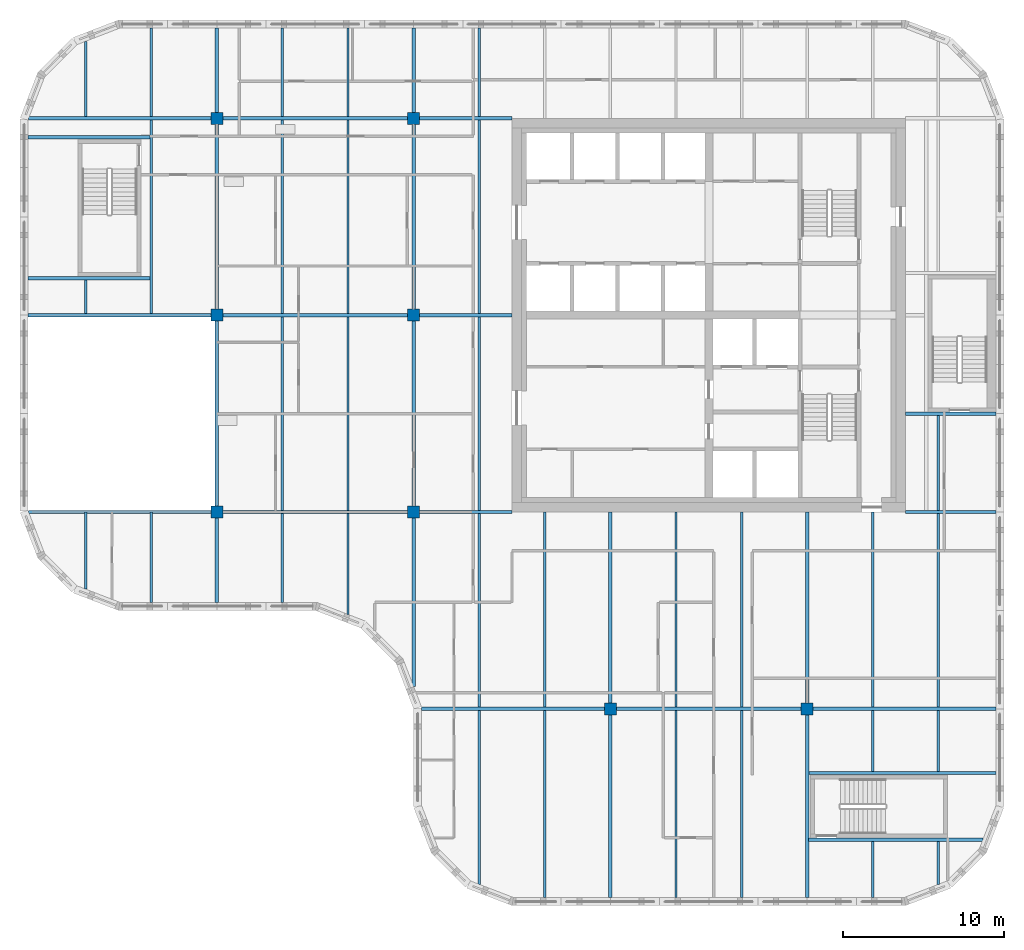
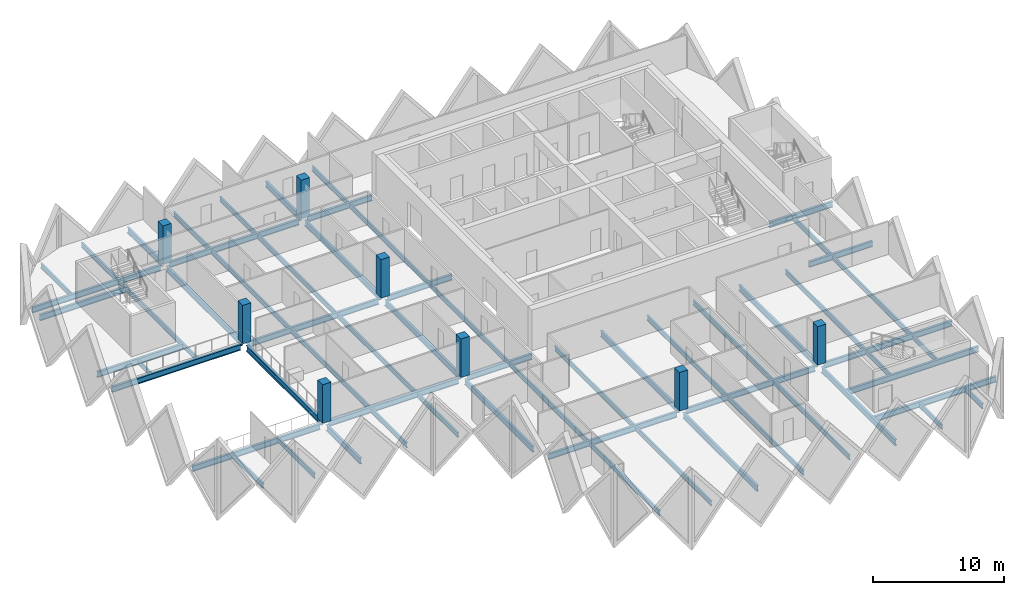
# One storey, part 1 of 12: 62 beams, 8 columns.
"""IFC4 building model written with IfcOpenShell, lengths in metres."""

from ifc_helpers import new_model, si_unit, direction, frame, origin, origin_2d, place, context, subcontext, project, spatial, rectangle, i_section, extrude, material, material_profile, profile_set, type_object, element, save


model = new_model("IFC4")

# Units and contexts
model_context = context("Model", 3, precision=1e-05, world=origin(), true_north=direction((0.0, 1.0)))
body_context = subcontext(model_context, "Body", "Model", "MODEL_VIEW")
ifc_project = project(units=[si_unit("LENGTHUNIT", "METRE"), si_unit("AREAUNIT", "SQUARE_METRE"), si_unit("VOLUMEUNIT", "CUBIC_METRE"), si_unit("PLANEANGLEUNIT", "RADIAN"), si_unit("MASSUNIT", "GRAM", prefix="KILO")], contexts=[model_context])

# Site, building, storey
site_placement = place(None, origin())
site = spatial("IfcSite", under=ifc_project, at=site_placement, CompositionType="ELEMENT")
building_placement = place(site_placement, origin())
building = spatial("IfcBuilding", under=site, at=building_placement, Name="Tessera Gate Towers", CompositionType="ELEMENT")
storey_placement = place(building_placement, frame((0.0, 0.0, 163.0)))
storey = spatial("IfcBuildingStorey", under=building, at=storey_placement, Name="L40", CompositionType="ELEMENT", Elevation=163.0)

# Columns
ifc_material_1 = material(Name="Concrete C70/85", Category="concrete")
ifc_material_profile_1 = material_profile(ifc_material_1, rectangle(XDim=0.75, YDim=0.75, at=origin_2d()), Name="RC 750x750")
ifc_profile_set_1 = profile_set([ifc_material_profile_1], Name="Concrete C70/85")
column_type = type_object("IfcColumnType", Name="COLUMN RC 750x750", PredefinedType="COLUMN", material=ifc_profile_set_1)
for number, where, z_axis, x_axis, name in (
    (1, (12.199951171875, 24.39990234375, 0.0), (0.0, 0.0, 1.0), (1.0, 0.0, 0.0), "T1-COL-2C-L40"),
    (2, (12.199951171875, 36.60009765625, 0.0), (0.0, 0.0, 1.0), (1.0, 0.0, 0.0), "T1-COL-2D-L40"),
    (3, (12.199951171875, 48.800048828125, 0.0), (0.0, 0.0, 1.0), (1.0, 0.0, 0.0), "T1-COL-2E-L40"),
    (4, (24.39990234375, 24.39990234375, 0.0), (0.0, 0.0, 1.0), (1.0, 0.0, 0.0), "T1-COL-3C-L40"),
    (5, (24.39990234375, 36.60009765625, 0.0), (0.0, 0.0, 1.0), (1.0, 0.0, 0.0), "T1-COL-3D-L40"),
    (6, (24.39990234375, 48.800048828125, 0.0), (0.0, 0.0, 1.0), (1.0, 0.0, 0.0), "T1-COL-3E-L40"),
    (7, (36.60009765625, 12.199951171875, 0.0), (0.0, 0.0, 1.0), (1.0, 0.0, 0.0), "T1-COL-4B-L40"),
    (8, (48.800048828125, 12.199951171875, 0.0), (0.0, 0.0, 1.0), (1.0, 0.0, 0.0), "T1-COL-5B-L40"),
):
    element("IfcColumn", number, at=place(storey_placement, frame(where, z_axis=z_axis, x_axis=x_axis)), inside=storey, type_object=column_type, Name=name, PredefinedType="COLUMN", context=body_context, shape_type="SweptSolid", body=[
        extrude(rectangle(XDim=0.75, YDim=0.75, at=origin_2d()), origin(), (0.0, 0.0, 1.0), 3.60009765625),
    ])

# Beams
ifc_material_2 = material(Name="Steel 350W", Category="steel")
ifc_material_profile_2 = material_profile(ifc_material_2, i_section(OverallWidth=0.208984375, OverallDepth=0.532958984375, WebThickness=0.01025390625, FlangeThickness=0.015625, at=origin_2d()), Name="W530x92")
ifc_profile_set_2 = profile_set([ifc_material_profile_2], Name="Steel 350W")
beam_type_1 = type_object("IfcBeamType", Name="FLOOR GIRDER W530x92", PredefinedType="BEAM", material=ifc_profile_set_2)
beam_1_placement = place(storey_placement, frame((24.89892578125, 12.199951171875, -0.466552734375), z_axis=(1.0, 0.0, 0.0), x_axis=(0.0, 1.0, 0.0)))
element("IfcBeam", 9, at=beam_1_placement, inside=storey, type_object=beam_type_1, Name="T1-GD-L40-4516", PredefinedType="BEAM", context=body_context, shape_type="SweptSolid", body=[
    extrude(i_section(OverallWidth=0.208984375, OverallDepth=0.532958984375, WebThickness=0.01025390625, FlangeThickness=0.015625, at=origin_2d()), origin(), (0.0, 0.0, 1.0), 11.326171875),
])
beam_2_placement = place(storey_placement, frame((36.97509765625, 12.199951171875, -0.466552734375), z_axis=(1.0, 0.0, 0.0), x_axis=(0.0, 1.0, 0.0)))
element("IfcBeam", 10, at=beam_2_placement, inside=storey, type_object=beam_type_1, Name="T1-GD-L40-4517", PredefinedType="BEAM", context=body_context, shape_type="SweptSolid", body=[
    extrude(i_section(OverallWidth=0.208984375, OverallDepth=0.532958984375, WebThickness=0.01025390625, FlangeThickness=0.015625, at=origin_2d()), origin(), (0.0, 0.0, 1.0), 11.449951171875),
])
beam_3_placement = place(storey_placement, frame((49.175048828125, 12.199951171875, -0.466552734375), z_axis=(1.0, 0.0, 0.0), x_axis=(0.0, 1.0, 0.0)))
element("IfcBeam", 11, at=beam_3_placement, inside=storey, type_object=beam_type_1, Name="T1-GD-L40-4518", PredefinedType="BEAM", context=body_context, shape_type="SweptSolid", body=[
    extrude(i_section(OverallWidth=0.208984375, OverallDepth=0.532958984375, WebThickness=0.01025390625, FlangeThickness=0.015625, at=origin_2d()), origin(), (0.0, 0.0, 1.0), 11.325927734375),
])
beam_4_placement = place(storey_placement, frame((0.534912109375, 24.39990234375, -0.466552734375), z_axis=(1.0, 0.0, 0.0), x_axis=(0.0, 1.0, 0.0)))
element("IfcBeam", 12, at=beam_4_placement, inside=storey, type_object=beam_type_1, Name="T1-GD-L40-4519", PredefinedType="BEAM", context=body_context, shape_type="SweptSolid", body=[
    extrude(i_section(OverallWidth=0.208984375, OverallDepth=0.532958984375, WebThickness=0.01025390625, FlangeThickness=0.015625, at=origin_2d()), origin(), (0.0, 0.0, 1.0), 11.2900390625),
])
beam_5_placement = place(storey_placement, frame((12.574951171875, 24.39990234375, -0.466552734375), z_axis=(1.0, 0.0, 0.0), x_axis=(0.0, 1.0, 0.0)))
element("IfcBeam", 13, at=beam_5_placement, inside=storey, type_object=beam_type_1, Name="T1-GD-L40-4520", PredefinedType="BEAM", context=body_context, shape_type="SweptSolid", body=[
    extrude(i_section(OverallWidth=0.208984375, OverallDepth=0.532958984375, WebThickness=0.01025390625, FlangeThickness=0.015625, at=origin_2d()), origin(), (0.0, 0.0, 1.0), 11.449951171875),
])
beam_6_placement = place(storey_placement, frame((24.77490234375, 24.39990234375, -0.466552734375), z_axis=(1.0, 0.0, 0.0), x_axis=(0.0, 1.0, 0.0)))
element("IfcBeam", 14, at=beam_6_placement, inside=storey, type_object=beam_type_1, Name="T1-GD-L40-4521", PredefinedType="BEAM", context=body_context, shape_type="SweptSolid", body=[
    extrude(i_section(OverallWidth=0.208984375, OverallDepth=0.532958984375, WebThickness=0.01025390625, FlangeThickness=0.015625, at=origin_2d()), origin(), (0.0, 0.0, 1.0), 5.72412109375),
])
beam_7_placement = place(storey_placement, frame((54.90087890625, 24.39990234375, -0.466552734375), z_axis=(1.0, 0.0, 0.0), x_axis=(0.0, 1.0, 0.0)))
element("IfcBeam", 15, at=beam_7_placement, inside=storey, type_object=beam_type_1, Name="T1-GD-L40-4522", PredefinedType="BEAM", context=body_context, shape_type="SweptSolid", body=[
    extrude(i_section(OverallWidth=0.208984375, OverallDepth=0.532958984375, WebThickness=0.01025390625, FlangeThickness=0.015625, at=origin_2d()), origin(), (0.0, 0.0, 1.0), 5.60009765625),
])
beam_8_placement = place(storey_placement, frame((0.4990234375, 36.60009765625, -0.466552734375), z_axis=(1.0, 0.0, 0.0), x_axis=(0.0, 1.0, 0.0)))
element("IfcBeam", 16, at=beam_8_placement, inside=storey, type_object=beam_type_1, Name="T1-GD-L40-4523", PredefinedType="BEAM", context=body_context, shape_type="SweptSolid", body=[
    extrude(i_section(OverallWidth=0.208984375, OverallDepth=0.532958984375, WebThickness=0.01025390625, FlangeThickness=0.015625, at=origin_2d()), origin(), (0.0, 0.0, 1.0), 11.325927734375),
])
beam_9_placement = place(storey_placement, frame((12.574951171875, 36.60009765625, -0.466552734375), z_axis=(1.0, 0.0, 0.0), x_axis=(0.0, 1.0, 0.0)))
element("IfcBeam", 17, at=beam_9_placement, inside=storey, type_object=beam_type_1, Name="T1-GD-L40-4524", PredefinedType="BEAM", context=body_context, shape_type="SweptSolid", body=[
    extrude(i_section(OverallWidth=0.208984375, OverallDepth=0.532958984375, WebThickness=0.01025390625, FlangeThickness=0.015625, at=origin_2d()), origin(), (0.0, 0.0, 1.0), 11.449951171875),
])
beam_10_placement = place(storey_placement, frame((24.77490234375, 36.60009765625, -0.466552734375), z_axis=(1.0, 0.0, 0.0), x_axis=(0.0, 1.0, 0.0)))
element("IfcBeam", 18, at=beam_10_placement, inside=storey, type_object=beam_type_1, Name="T1-GD-L40-4525", PredefinedType="BEAM", context=body_context, shape_type="SweptSolid", body=[
    extrude(i_section(OverallWidth=0.208984375, OverallDepth=0.532958984375, WebThickness=0.01025390625, FlangeThickness=0.015625, at=origin_2d()), origin(), (0.0, 0.0, 1.0), 5.72607421875),
])
beam_11_placement = place(storey_placement, frame((0.534912109375, 48.800048828125, -0.466552734375), z_axis=(1.0, 0.0, 0.0), x_axis=(0.0, 1.0, 0.0)))
element("IfcBeam", 19, at=beam_11_placement, inside=storey, type_object=beam_type_1, Name="T1-GD-L40-4527", PredefinedType="BEAM", context=body_context, shape_type="SweptSolid", body=[
    extrude(i_section(OverallWidth=0.208984375, OverallDepth=0.532958984375, WebThickness=0.01025390625, FlangeThickness=0.015625, at=origin_2d()), origin(), (0.0, 0.0, 1.0), 11.2900390625),
])
beam_12_placement = place(storey_placement, frame((12.574951171875, 48.800048828125, -0.466552734375), z_axis=(1.0, 0.0, 0.0), x_axis=(0.0, 1.0, 0.0)))
element("IfcBeam", 20, at=beam_12_placement, inside=storey, type_object=beam_type_1, Name="T1-GD-L40-4528", PredefinedType="BEAM", context=body_context, shape_type="SweptSolid", body=[
    extrude(i_section(OverallWidth=0.208984375, OverallDepth=0.532958984375, WebThickness=0.01025390625, FlangeThickness=0.015625, at=origin_2d()), origin(), (0.0, 0.0, 1.0), 11.449951171875),
])
beam_13_placement = place(storey_placement, frame((24.77490234375, 48.800048828125, -0.466552734375), z_axis=(1.0, 0.0, 0.0), x_axis=(0.0, 1.0, 0.0)))
element("IfcBeam", 21, at=beam_13_placement, inside=storey, type_object=beam_type_1, Name="T1-GD-L40-4529", PredefinedType="BEAM", context=body_context, shape_type="SweptSolid", body=[
    extrude(i_section(OverallWidth=0.208984375, OverallDepth=0.532958984375, WebThickness=0.01025390625, FlangeThickness=0.015625, at=origin_2d()), origin(), (0.0, 0.0, 1.0), 5.72412109375),
])
beam_14_placement = place(storey_placement, frame((12.199951171875, 18.799072265625, -0.466552734375), z_axis=(0.0, 1.0, 0.0), x_axis=(-1.0, 0.0, 0.0)))
element("IfcBeam", 22, at=beam_14_placement, inside=storey, type_object=beam_type_1, Name="T1-GD-L40-4531", PredefinedType="BEAM", context=body_context, shape_type="SweptSolid", body=[
    extrude(i_section(OverallWidth=0.208984375, OverallDepth=0.532958984375, WebThickness=0.01025390625, FlangeThickness=0.015625, at=origin_2d()), origin(), (0.0, 0.0, 1.0), 5.225830078125),
])
beam_15_placement = place(storey_placement, frame((12.199951171875, 24.77490234375, -0.466552734375), z_axis=(0.0, 1.0, 0.0), x_axis=(-1.0, 0.0, 0.0)))
element("IfcBeam", 23, at=beam_15_placement, inside=storey, type_object=beam_type_1, Name="T1-GD-L40-4532", PredefinedType="BEAM", context=body_context, shape_type="SweptSolid", body=[
    extrude(i_section(OverallWidth=0.208984375, OverallDepth=0.532958984375, WebThickness=0.01025390625, FlangeThickness=0.015625, at=origin_2d()), origin(), (0.0, 0.0, 1.0), 11.4501953125),
])
beam_16_placement = place(storey_placement, frame((12.199951171875, 36.97509765625, -0.466552734375), z_axis=(0.0, 1.0, 0.0), x_axis=(-1.0, 0.0, 0.0)))
element("IfcBeam", 24, at=beam_16_placement, inside=storey, type_object=beam_type_1, Name="T1-GD-L40-4533", PredefinedType="BEAM", context=body_context, shape_type="SweptSolid", body=[
    extrude(i_section(OverallWidth=0.208984375, OverallDepth=0.532958984375, WebThickness=0.01025390625, FlangeThickness=0.015625, at=origin_2d()), origin(), (0.0, 0.0, 1.0), 11.449951171875),
])
beam_17_placement = place(storey_placement, frame((12.199951171875, 49.175048828125, -0.466552734375), z_axis=(0.0, 1.0, 0.0), x_axis=(-1.0, 0.0, 0.0)))
element("IfcBeam", 25, at=beam_17_placement, inside=storey, type_object=beam_type_1, Name="T1-GD-L40-4534", PredefinedType="BEAM", context=body_context, shape_type="SweptSolid", body=[
    extrude(i_section(OverallWidth=0.208984375, OverallDepth=0.532958984375, WebThickness=0.01025390625, FlangeThickness=0.015625, at=origin_2d()), origin(), (0.0, 0.0, 1.0), 5.225830078125),
])
beam_18_placement = place(storey_placement, frame((24.39990234375, 13.58642578125, -0.466552734375), z_axis=(0.0, 1.0, 0.0), x_axis=(-1.0, 0.0, 0.0)))
element("IfcBeam", 26, at=beam_18_placement, inside=storey, type_object=beam_type_1, Name="T1-GD-L40-4535", PredefinedType="BEAM", context=body_context, shape_type="SweptSolid", body=[
    extrude(i_section(OverallWidth=0.208984375, OverallDepth=0.532958984375, WebThickness=0.01025390625, FlangeThickness=0.015625, at=origin_2d()), origin(), (0.0, 0.0, 1.0), 10.4384765625),
])
beam_19_placement = place(storey_placement, frame((24.39990234375, 24.77490234375, -0.466552734375), z_axis=(0.0, 1.0, 0.0), x_axis=(-1.0, 0.0, 0.0)))
element("IfcBeam", 27, at=beam_19_placement, inside=storey, type_object=beam_type_1, Name="T1-GD-L40-4536", PredefinedType="BEAM", context=body_context, shape_type="SweptSolid", body=[
    extrude(i_section(OverallWidth=0.208984375, OverallDepth=0.532958984375, WebThickness=0.01025390625, FlangeThickness=0.015625, at=origin_2d()), origin(), (0.0, 0.0, 1.0), 11.4501953125),
])
beam_20_placement = place(storey_placement, frame((24.39990234375, 36.97509765625, -0.466552734375), z_axis=(0.0, 1.0, 0.0), x_axis=(-1.0, 0.0, 0.0)))
element("IfcBeam", 28, at=beam_20_placement, inside=storey, type_object=beam_type_1, Name="T1-GD-L40-4537", PredefinedType="BEAM", context=body_context, shape_type="SweptSolid", body=[
    extrude(i_section(OverallWidth=0.208984375, OverallDepth=0.532958984375, WebThickness=0.01025390625, FlangeThickness=0.015625, at=origin_2d()), origin(), (0.0, 0.0, 1.0), 11.449951171875),
])
beam_21_placement = place(storey_placement, frame((24.39990234375, 49.175048828125, -0.466552734375), z_axis=(0.0, 1.0, 0.0), x_axis=(-1.0, 0.0, 0.0)))
element("IfcBeam", 29, at=beam_21_placement, inside=storey, type_object=beam_type_1, Name="T1-GD-L40-4538", PredefinedType="BEAM", context=body_context, shape_type="SweptSolid", body=[
    extrude(i_section(OverallWidth=0.208984375, OverallDepth=0.532958984375, WebThickness=0.01025390625, FlangeThickness=0.015625, at=origin_2d()), origin(), (0.0, 0.0, 1.0), 5.225830078125),
])
beam_22_placement = place(storey_placement, frame((36.60009765625, 0.4990234375, -0.466552734375), z_axis=(0.0, 1.0, 0.0), x_axis=(-1.0, 0.0, 0.0)))
element("IfcBeam", 30, at=beam_22_placement, inside=storey, type_object=beam_type_1, Name="T1-GD-L40-4539", PredefinedType="BEAM", context=body_context, shape_type="SweptSolid", body=[
    extrude(i_section(OverallWidth=0.208984375, OverallDepth=0.532958984375, WebThickness=0.01025390625, FlangeThickness=0.015625, at=origin_2d()), origin(), (0.0, 0.0, 1.0), 11.325927734375),
])
beam_23_placement = place(storey_placement, frame((36.60009765625, 12.574951171875, -0.466552734375), z_axis=(0.0, 1.0, 0.0), x_axis=(-1.0, 0.0, 0.0)))
element("IfcBeam", 31, at=beam_23_placement, inside=storey, type_object=beam_type_1, Name="T1-GD-L40-4540", PredefinedType="BEAM", context=body_context, shape_type="SweptSolid", body=[
    extrude(i_section(OverallWidth=0.208984375, OverallDepth=0.532958984375, WebThickness=0.01025390625, FlangeThickness=0.015625, at=origin_2d()), origin(), (0.0, 0.0, 1.0), 11.824951171875),
])
beam_24_placement = place(storey_placement, frame((48.800048828125, 0.4990234375, -0.466552734375), z_axis=(0.0, 1.0, 0.0), x_axis=(-1.0, 0.0, 0.0)))
element("IfcBeam", 32, at=beam_24_placement, inside=storey, type_object=beam_type_1, Name="T1-GD-L40-4541", PredefinedType="BEAM", context=body_context, shape_type="SweptSolid", body=[
    extrude(i_section(OverallWidth=0.208984375, OverallDepth=0.532958984375, WebThickness=0.01025390625, FlangeThickness=0.015625, at=origin_2d()), origin(), (0.0, 0.0, 1.0), 11.325927734375),
])
beam_25_placement = place(storey_placement, frame((48.800048828125, 12.574951171875, -0.466552734375), z_axis=(0.0, 1.0, 0.0), x_axis=(-1.0, 0.0, 0.0)))
element("IfcBeam", 33, at=beam_25_placement, inside=storey, type_object=beam_type_1, Name="T1-GD-L40-4542", PredefinedType="BEAM", context=body_context, shape_type="SweptSolid", body=[
    extrude(i_section(OverallWidth=0.208984375, OverallDepth=0.532958984375, WebThickness=0.01025390625, FlangeThickness=0.015625, at=origin_2d()), origin(), (0.0, 0.0, 1.0), 11.824951171875),
])
for number, where, z_axis, x_axis, name in (
    (34, (0.4990234375, 38.8798828125, -0.466552734375), (1.0, 0.0, 0.0), (0.0, 1.0, 0.0), "T1-GD-L40-4543"),
    (35, (0.4990234375, 47.6201171875, -0.466552734375), (1.0, 0.0, 0.0), (0.0, 1.0, 0.0), "T1-GD-L40-4544"),
):
    element("IfcBeam", number, at=place(storey_placement, frame(where, z_axis=z_axis, x_axis=x_axis)), inside=storey, type_object=beam_type_1, Name=name, PredefinedType="BEAM", context=body_context, shape_type="SweptSolid", body=[
        extrude(i_section(OverallWidth=0.208984375, OverallDepth=0.532958984375, WebThickness=0.01025390625, FlangeThickness=0.015625, at=origin_2d()), origin(), (0.0, 0.0, 1.0), 7.557861328125),
    ])
beam_26_placement = place(storey_placement, frame((48.87646484375, 4.080078125, -0.466552734375), z_axis=(1.0, 0.0, 0.0), x_axis=(0.0, 1.0, 0.0)))
element("IfcBeam", 36, at=beam_26_placement, inside=storey, type_object=beam_type_1, Name="T1-GD-L40-4545", PredefinedType="BEAM", context=body_context, shape_type="SweptSolid", body=[
    extrude(i_section(OverallWidth=0.208984375, OverallDepth=0.532958984375, WebThickness=0.01025390625, FlangeThickness=0.015625, at=origin_2d()), origin(), (0.0, 0.0, 1.0), 10.809326171875),
])
beam_27_placement = place(storey_placement, frame((48.87646484375, 8.219970703125, -0.466552734375), z_axis=(1.0, 0.0, 0.0), x_axis=(0.0, 1.0, 0.0)))
element("IfcBeam", 37, at=beam_27_placement, inside=storey, type_object=beam_type_1, Name="T1-GD-L40-4546", PredefinedType="BEAM", context=body_context, shape_type="SweptSolid", body=[
    extrude(i_section(OverallWidth=0.208984375, OverallDepth=0.532958984375, WebThickness=0.01025390625, FlangeThickness=0.015625, at=origin_2d()), origin(), (0.0, 0.0, 1.0), 11.62451171875),
])
beam_28_placement = place(storey_placement, frame((54.89892578125, 30.47998046875, -0.466552734375), z_axis=(1.0, 0.0, 0.0), x_axis=(0.0, 1.0, 0.0)))
element("IfcBeam", 38, at=beam_28_placement, inside=storey, type_object=beam_type_1, Name="T1-GD-L40-4547", PredefinedType="BEAM", context=body_context, shape_type="SweptSolid", body=[
    extrude(i_section(OverallWidth=0.208984375, OverallDepth=0.532958984375, WebThickness=0.01025390625, FlangeThickness=0.015625, at=origin_2d()), origin(), (0.0, 0.0, 1.0), 5.60205078125),
])
ifc_material_3 = material(Name="Steel 350W", Category="steel")
ifc_material_profile_3 = material_profile(ifc_material_3, i_section(OverallWidth=0.153076171875, OverallDepth=0.455078125, WebThickness=0.008056640625, FlangeThickness=0.01318359375, at=origin_2d()), Name="W460x60")
ifc_profile_set_3 = profile_set([ifc_material_profile_3], Name="Steel 350W")
beam_type_2 = type_object("IfcBeamType", Name="FLOOR SECONDARY W460x60", PredefinedType="BEAM", material=ifc_profile_set_3)
beam_29_placement = place(storey_placement, frame((4.066650390625, 19.620361328125, -0.427490234375), z_axis=(0.0, 1.0, 0.0), x_axis=(-1.0, 0.0, 0.0)))
element("IfcBeam", 39, at=beam_29_placement, inside=storey, type_object=beam_type_2, Name="T1-BM-L40-4550", PredefinedType="BEAM", context=body_context, shape_type="SweptSolid", body=[
    extrude(i_section(OverallWidth=0.153076171875, OverallDepth=0.455078125, WebThickness=0.008056640625, FlangeThickness=0.01318359375, at=origin_2d()), origin(), (0.0, 0.0, 1.0), 4.779541015625),
])
beam_30_placement = place(storey_placement, frame((4.066650390625, 36.70458984375, -0.427490234375), z_axis=(0.0, 1.0, 0.0), x_axis=(-1.0, 0.0, 0.0)))
element("IfcBeam", 40, at=beam_30_placement, inside=storey, type_object=beam_type_2, Name="T1-BM-L40-4551", PredefinedType="BEAM", context=body_context, shape_type="SweptSolid", body=[
    extrude(i_section(OverallWidth=0.153076171875, OverallDepth=0.455078125, WebThickness=0.008056640625, FlangeThickness=0.01318359375, at=origin_2d()), origin(), (0.0, 0.0, 1.0), 2.07080078125),
])
beam_31_placement = place(storey_placement, frame((4.066650390625, 48.904541015625, -0.427490234375), z_axis=(0.0, 1.0, 0.0), x_axis=(-1.0, 0.0, 0.0)))
element("IfcBeam", 41, at=beam_31_placement, inside=storey, type_object=beam_type_2, Name="T1-BM-L40-4552", PredefinedType="BEAM", context=body_context, shape_type="SweptSolid", body=[
    extrude(i_section(OverallWidth=0.153076171875, OverallDepth=0.455078125, WebThickness=0.008056640625, FlangeThickness=0.01318359375, at=origin_2d()), origin(), (0.0, 0.0, 1.0), 4.675048828125),
])
beam_32_placement = place(storey_placement, frame((8.13330078125, 18.800048828125, -0.427490234375), z_axis=(0.0, 1.0, 0.0), x_axis=(-1.0, 0.0, 0.0)))
element("IfcBeam", 42, at=beam_32_placement, inside=storey, type_object=beam_type_2, Name="T1-BM-L40-4553", PredefinedType="BEAM", context=body_context, shape_type="SweptSolid", body=[
    extrude(i_section(OverallWidth=0.153076171875, OverallDepth=0.455078125, WebThickness=0.008056640625, FlangeThickness=0.01318359375, at=origin_2d()), origin(), (0.0, 0.0, 1.0), 5.599853515625),
])
beam_33_placement = place(storey_placement, frame((8.13330078125, 36.70458984375, -0.427490234375), z_axis=(0.0, 1.0, 0.0), x_axis=(-1.0, 0.0, 0.0)))
element("IfcBeam", 43, at=beam_33_placement, inside=storey, type_object=beam_type_2, Name="T1-BM-L40-4554", PredefinedType="BEAM", context=body_context, shape_type="SweptSolid", body=[
    extrude(i_section(OverallWidth=0.153076171875, OverallDepth=0.455078125, WebThickness=0.008056640625, FlangeThickness=0.01318359375, at=origin_2d()), origin(), (0.0, 0.0, 1.0), 11.990966796875),
])
for number, where, z_axis, x_axis, name in (
    (44, (8.13330078125, 48.904541015625, -0.427490234375), (0.0, 1.0, 0.0), (-1.0, 0.0, 0.0), "T1-BM-L40-4555"),
    (45, (16.2666015625, 18.800048828125, -0.427490234375), (0.0, 1.0, 0.0), (-1.0, 0.0, 0.0), "T1-BM-L40-4556"),
):
    element("IfcBeam", number, at=place(storey_placement, frame(where, z_axis=z_axis, x_axis=x_axis)), inside=storey, type_object=beam_type_2, Name=name, PredefinedType="BEAM", context=body_context, shape_type="SweptSolid", body=[
        extrude(i_section(OverallWidth=0.153076171875, OverallDepth=0.455078125, WebThickness=0.008056640625, FlangeThickness=0.01318359375, at=origin_2d()), origin(), (0.0, 0.0, 1.0), 5.495361328125),
    ])
beam_34_placement = place(storey_placement, frame((16.2666015625, 24.50439453125, -0.427490234375), z_axis=(0.0, 1.0, 0.0), x_axis=(-1.0, 0.0, 0.0)))
element("IfcBeam", 46, at=beam_34_placement, inside=storey, type_object=beam_type_2, Name="T1-BM-L40-4557", PredefinedType="BEAM", context=body_context, shape_type="SweptSolid", body=[
    extrude(i_section(OverallWidth=0.153076171875, OverallDepth=0.455078125, WebThickness=0.008056640625, FlangeThickness=0.01318359375, at=origin_2d()), origin(), (0.0, 0.0, 1.0), 11.9912109375),
])
beam_35_placement = place(storey_placement, frame((16.2666015625, 36.70458984375, -0.427490234375), z_axis=(0.0, 1.0, 0.0), x_axis=(-1.0, 0.0, 0.0)))
element("IfcBeam", 47, at=beam_35_placement, inside=storey, type_object=beam_type_2, Name="T1-BM-L40-4558", PredefinedType="BEAM", context=body_context, shape_type="SweptSolid", body=[
    extrude(i_section(OverallWidth=0.153076171875, OverallDepth=0.455078125, WebThickness=0.008056640625, FlangeThickness=0.01318359375, at=origin_2d()), origin(), (0.0, 0.0, 1.0), 11.990966796875),
])
beam_36_placement = place(storey_placement, frame((16.2666015625, 48.904541015625, -0.427490234375), z_axis=(0.0, 1.0, 0.0), x_axis=(-1.0, 0.0, 0.0)))
element("IfcBeam", 48, at=beam_36_placement, inside=storey, type_object=beam_type_2, Name="T1-BM-L40-4559", PredefinedType="BEAM", context=body_context, shape_type="SweptSolid", body=[
    extrude(i_section(OverallWidth=0.153076171875, OverallDepth=0.455078125, WebThickness=0.008056640625, FlangeThickness=0.01318359375, at=origin_2d()), origin(), (0.0, 0.0, 1.0), 5.495361328125),
])
beam_37_placement = place(storey_placement, frame((20.333251953125, 18.051513671875, -0.427490234375), z_axis=(0.0, 1.0, 0.0), x_axis=(-1.0, 0.0, 0.0)))
element("IfcBeam", 49, at=beam_37_placement, inside=storey, type_object=beam_type_2, Name="T1-BM-L40-4560", PredefinedType="BEAM", context=body_context, shape_type="SweptSolid", body=[
    extrude(i_section(OverallWidth=0.153076171875, OverallDepth=0.455078125, WebThickness=0.008056640625, FlangeThickness=0.01318359375, at=origin_2d()), origin(), (0.0, 0.0, 1.0), 6.243896484375),
])
beam_38_placement = place(storey_placement, frame((20.333251953125, 24.50439453125, -0.427490234375), z_axis=(0.0, 1.0, 0.0), x_axis=(-1.0, 0.0, 0.0)))
element("IfcBeam", 50, at=beam_38_placement, inside=storey, type_object=beam_type_2, Name="T1-BM-L40-4561", PredefinedType="BEAM", context=body_context, shape_type="SweptSolid", body=[
    extrude(i_section(OverallWidth=0.153076171875, OverallDepth=0.455078125, WebThickness=0.008056640625, FlangeThickness=0.01318359375, at=origin_2d()), origin(), (0.0, 0.0, 1.0), 11.9912109375),
])
beam_39_placement = place(storey_placement, frame((20.333251953125, 36.70458984375, -0.427490234375), z_axis=(0.0, 1.0, 0.0), x_axis=(-1.0, 0.0, 0.0)))
element("IfcBeam", 51, at=beam_39_placement, inside=storey, type_object=beam_type_2, Name="T1-BM-L40-4562", PredefinedType="BEAM", context=body_context, shape_type="SweptSolid", body=[
    extrude(i_section(OverallWidth=0.153076171875, OverallDepth=0.455078125, WebThickness=0.008056640625, FlangeThickness=0.01318359375, at=origin_2d()), origin(), (0.0, 0.0, 1.0), 11.990966796875),
])
beam_40_placement = place(storey_placement, frame((20.333251953125, 48.904541015625, -0.427490234375), z_axis=(0.0, 1.0, 0.0), x_axis=(-1.0, 0.0, 0.0)))
element("IfcBeam", 52, at=beam_40_placement, inside=storey, type_object=beam_type_2, Name="T1-BM-L40-4563", PredefinedType="BEAM", context=body_context, shape_type="SweptSolid", body=[
    extrude(i_section(OverallWidth=0.153076171875, OverallDepth=0.455078125, WebThickness=0.008056640625, FlangeThickness=0.01318359375, at=origin_2d()), origin(), (0.0, 0.0, 1.0), 5.495361328125),
])
beam_41_placement = place(storey_placement, frame((28.466796875, 1.3203125, -0.427490234375), z_axis=(0.0, 1.0, 0.0), x_axis=(-1.0, 0.0, 0.0)))
element("IfcBeam", 53, at=beam_41_placement, inside=storey, type_object=beam_type_2, Name="T1-BM-L40-4564", PredefinedType="BEAM", context=body_context, shape_type="SweptSolid", body=[
    extrude(i_section(OverallWidth=0.153076171875, OverallDepth=0.455078125, WebThickness=0.008056640625, FlangeThickness=0.01318359375, at=origin_2d()), origin(), (0.0, 0.0, 1.0), 10.775146484375),
])
beam_42_placement = place(storey_placement, frame((28.466796875, 12.304443359375, -0.427490234375), z_axis=(0.0, 1.0, 0.0), x_axis=(-1.0, 0.0, 0.0)))
element("IfcBeam", 54, at=beam_42_placement, inside=storey, type_object=beam_type_2, Name="T1-BM-L40-4565", PredefinedType="BEAM", context=body_context, shape_type="SweptSolid", body=[
    extrude(i_section(OverallWidth=0.153076171875, OverallDepth=0.455078125, WebThickness=0.008056640625, FlangeThickness=0.01318359375, at=origin_2d()), origin(), (0.0, 0.0, 1.0), 11.990966796875),
])
beam_43_placement = place(storey_placement, frame((28.466796875, 24.50439453125, -0.427490234375), z_axis=(0.0, 1.0, 0.0), x_axis=(-1.0, 0.0, 0.0)))
element("IfcBeam", 55, at=beam_43_placement, inside=storey, type_object=beam_type_2, Name="T1-BM-L40-4566", PredefinedType="BEAM", context=body_context, shape_type="SweptSolid", body=[
    extrude(i_section(OverallWidth=0.153076171875, OverallDepth=0.455078125, WebThickness=0.008056640625, FlangeThickness=0.01318359375, at=origin_2d()), origin(), (0.0, 0.0, 1.0), 11.9912109375),
])
beam_44_placement = place(storey_placement, frame((28.466796875, 36.70458984375, -0.427490234375), z_axis=(0.0, 1.0, 0.0), x_axis=(-1.0, 0.0, 0.0)))
element("IfcBeam", 56, at=beam_44_placement, inside=storey, type_object=beam_type_2, Name="T1-BM-L40-4567", PredefinedType="BEAM", context=body_context, shape_type="SweptSolid", body=[
    extrude(i_section(OverallWidth=0.153076171875, OverallDepth=0.455078125, WebThickness=0.008056640625, FlangeThickness=0.01318359375, at=origin_2d()), origin(), (0.0, 0.0, 1.0), 11.990966796875),
])
beam_45_placement = place(storey_placement, frame((28.466796875, 48.904541015625, -0.427490234375), z_axis=(0.0, 1.0, 0.0), x_axis=(-1.0, 0.0, 0.0)))
element("IfcBeam", 57, at=beam_45_placement, inside=storey, type_object=beam_type_2, Name="T1-BM-L40-4568", PredefinedType="BEAM", context=body_context, shape_type="SweptSolid", body=[
    extrude(i_section(OverallWidth=0.153076171875, OverallDepth=0.455078125, WebThickness=0.008056640625, FlangeThickness=0.01318359375, at=origin_2d()), origin(), (0.0, 0.0, 1.0), 5.495361328125),
])
beam_46_placement = place(storey_placement, frame((32.533203125, 0.5, -0.427490234375), z_axis=(0.0, 1.0, 0.0), x_axis=(-1.0, 0.0, 0.0)))
element("IfcBeam", 58, at=beam_46_placement, inside=storey, type_object=beam_type_2, Name="T1-BM-L40-4569", PredefinedType="BEAM", context=body_context, shape_type="SweptSolid", body=[
    extrude(i_section(OverallWidth=0.153076171875, OverallDepth=0.455078125, WebThickness=0.008056640625, FlangeThickness=0.01318359375, at=origin_2d()), origin(), (0.0, 0.0, 1.0), 11.595458984375),
])
beam_47_placement = place(storey_placement, frame((32.533203125, 12.304443359375, -0.427490234375), z_axis=(0.0, 1.0, 0.0), x_axis=(-1.0, 0.0, 0.0)))
element("IfcBeam", 59, at=beam_47_placement, inside=storey, type_object=beam_type_2, Name="T1-BM-L40-4570", PredefinedType="BEAM", context=body_context, shape_type="SweptSolid", body=[
    extrude(i_section(OverallWidth=0.153076171875, OverallDepth=0.455078125, WebThickness=0.008056640625, FlangeThickness=0.01318359375, at=origin_2d()), origin(), (0.0, 0.0, 1.0), 12.095458984375),
])
beam_48_placement = place(storey_placement, frame((40.666748046875, 0.5, -0.427490234375), z_axis=(0.0, 1.0, 0.0), x_axis=(-1.0, 0.0, 0.0)))
element("IfcBeam", 60, at=beam_48_placement, inside=storey, type_object=beam_type_2, Name="T1-BM-L40-4573", PredefinedType="BEAM", context=body_context, shape_type="SweptSolid", body=[
    extrude(i_section(OverallWidth=0.153076171875, OverallDepth=0.455078125, WebThickness=0.008056640625, FlangeThickness=0.01318359375, at=origin_2d()), origin(), (0.0, 0.0, 1.0), 11.595458984375),
])
beam_49_placement = place(storey_placement, frame((40.666748046875, 12.304443359375, -0.427490234375), z_axis=(0.0, 1.0, 0.0), x_axis=(-1.0, 0.0, 0.0)))
element("IfcBeam", 61, at=beam_49_placement, inside=storey, type_object=beam_type_2, Name="T1-BM-L40-4574", PredefinedType="BEAM", context=body_context, shape_type="SweptSolid", body=[
    extrude(i_section(OverallWidth=0.153076171875, OverallDepth=0.455078125, WebThickness=0.008056640625, FlangeThickness=0.01318359375, at=origin_2d()), origin(), (0.0, 0.0, 1.0), 12.095458984375),
])
beam_50_placement = place(storey_placement, frame((44.7333984375, 0.5, -0.427490234375), z_axis=(0.0, 1.0, 0.0), x_axis=(-1.0, 0.0, 0.0)))
element("IfcBeam", 62, at=beam_50_placement, inside=storey, type_object=beam_type_2, Name="T1-BM-L40-4576", PredefinedType="BEAM", context=body_context, shape_type="SweptSolid", body=[
    extrude(i_section(OverallWidth=0.153076171875, OverallDepth=0.455078125, WebThickness=0.008056640625, FlangeThickness=0.01318359375, at=origin_2d()), origin(), (0.0, 0.0, 1.0), 11.595458984375),
])
beam_51_placement = place(storey_placement, frame((44.7333984375, 12.304443359375, -0.427490234375), z_axis=(0.0, 1.0, 0.0), x_axis=(-1.0, 0.0, 0.0)))
element("IfcBeam", 63, at=beam_51_placement, inside=storey, type_object=beam_type_2, Name="T1-BM-L40-4577", PredefinedType="BEAM", context=body_context, shape_type="SweptSolid", body=[
    extrude(i_section(OverallWidth=0.153076171875, OverallDepth=0.455078125, WebThickness=0.008056640625, FlangeThickness=0.01318359375, at=origin_2d()), origin(), (0.0, 0.0, 1.0), 12.095458984375),
])
beam_52_placement = place(storey_placement, frame((52.86669921875, 0.5, -0.427490234375), z_axis=(0.0, 1.0, 0.0), x_axis=(-1.0, 0.0, 0.0)))
element("IfcBeam", 64, at=beam_52_placement, inside=storey, type_object=beam_type_2, Name="T1-BM-L40-4580", PredefinedType="BEAM", context=body_context, shape_type="SweptSolid", body=[
    extrude(i_section(OverallWidth=0.153076171875, OverallDepth=0.455078125, WebThickness=0.008056640625, FlangeThickness=0.01318359375, at=origin_2d()), origin(), (0.0, 0.0, 1.0), 3.4755859375),
])
beam_53_placement = place(storey_placement, frame((52.86669921875, 8.324462890625, -0.427490234375), z_axis=(0.0, 1.0, 0.0), x_axis=(-1.0, 0.0, 0.0)))
element("IfcBeam", 65, at=beam_53_placement, inside=storey, type_object=beam_type_2, Name="T1-BM-L40-4581", PredefinedType="BEAM", context=body_context, shape_type="SweptSolid", body=[
    extrude(i_section(OverallWidth=0.153076171875, OverallDepth=0.455078125, WebThickness=0.008056640625, FlangeThickness=0.01318359375, at=origin_2d()), origin(), (0.0, 0.0, 1.0), 3.77099609375),
])
beam_54_placement = place(storey_placement, frame((52.86669921875, 12.304443359375, -0.427490234375), z_axis=(0.0, 1.0, 0.0), x_axis=(-1.0, 0.0, 0.0)))
element("IfcBeam", 66, at=beam_54_placement, inside=storey, type_object=beam_type_2, Name="T1-BM-L40-4582", PredefinedType="BEAM", context=body_context, shape_type="SweptSolid", body=[
    extrude(i_section(OverallWidth=0.153076171875, OverallDepth=0.455078125, WebThickness=0.008056640625, FlangeThickness=0.01318359375, at=origin_2d()), origin(), (0.0, 0.0, 1.0), 12.095458984375),
])
beam_55_placement = place(storey_placement, frame((56.933349609375, 1.3203125, -0.427490234375), z_axis=(0.0, 1.0, 0.0), x_axis=(-1.0, 0.0, 0.0)))
element("IfcBeam", 67, at=beam_55_placement, inside=storey, type_object=beam_type_2, Name="T1-BM-L40-4584", PredefinedType="BEAM", context=body_context, shape_type="SweptSolid", body=[
    extrude(i_section(OverallWidth=0.153076171875, OverallDepth=0.455078125, WebThickness=0.008056640625, FlangeThickness=0.01318359375, at=origin_2d()), origin(), (0.0, 0.0, 1.0), 2.6552734375),
])
beam_56_placement = place(storey_placement, frame((56.933349609375, 8.324462890625, -0.427490234375), z_axis=(0.0, 1.0, 0.0), x_axis=(-1.0, 0.0, 0.0)))
element("IfcBeam", 68, at=beam_56_placement, inside=storey, type_object=beam_type_2, Name="T1-BM-L40-4585", PredefinedType="BEAM", context=body_context, shape_type="SweptSolid", body=[
    extrude(i_section(OverallWidth=0.153076171875, OverallDepth=0.455078125, WebThickness=0.008056640625, FlangeThickness=0.01318359375, at=origin_2d()), origin(), (0.0, 0.0, 1.0), 3.77099609375),
])
beam_57_placement = place(storey_placement, frame((56.933349609375, 12.304443359375, -0.427490234375), z_axis=(0.0, 1.0, 0.0), x_axis=(-1.0, 0.0, 0.0)))
element("IfcBeam", 69, at=beam_57_placement, inside=storey, type_object=beam_type_2, Name="T1-BM-L40-4586", PredefinedType="BEAM", context=body_context, shape_type="SweptSolid", body=[
    extrude(i_section(OverallWidth=0.153076171875, OverallDepth=0.455078125, WebThickness=0.008056640625, FlangeThickness=0.01318359375, at=origin_2d()), origin(), (0.0, 0.0, 1.0), 11.990966796875),
])
beam_58_placement = place(storey_placement, frame((56.933349609375, 24.50439453125, -0.427490234375), z_axis=(0.0, 1.0, 0.0), x_axis=(-1.0, 0.0, 0.0)))
element("IfcBeam", 70, at=beam_58_placement, inside=storey, type_object=beam_type_2, Name="T1-BM-L40-4587", PredefinedType="BEAM", context=body_context, shape_type="SweptSolid", body=[
    extrude(i_section(OverallWidth=0.153076171875, OverallDepth=0.455078125, WebThickness=0.008056640625, FlangeThickness=0.01318359375, at=origin_2d()), origin(), (0.0, 0.0, 1.0), 5.87109375),
])

save(model, "model.ifc")
